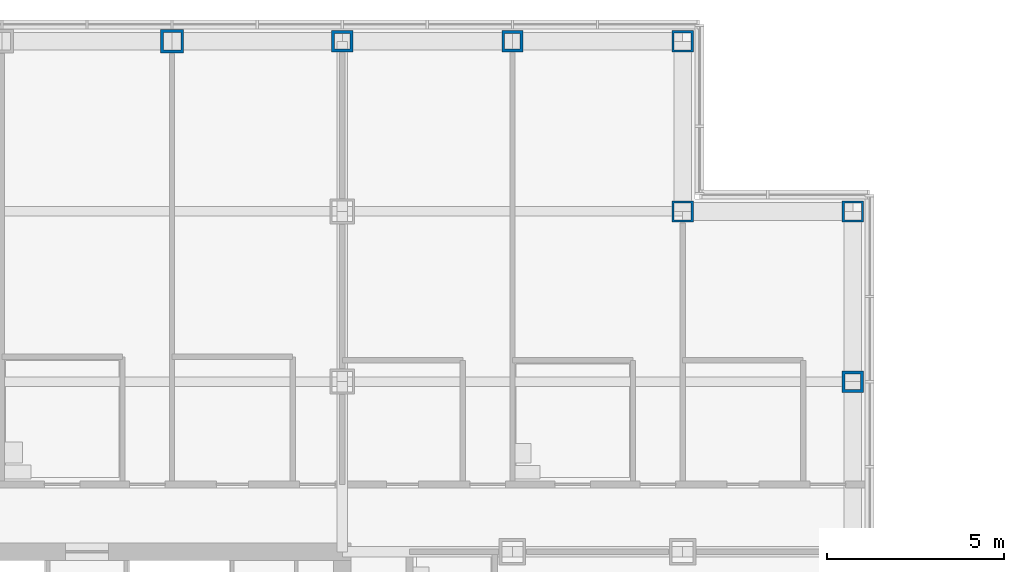
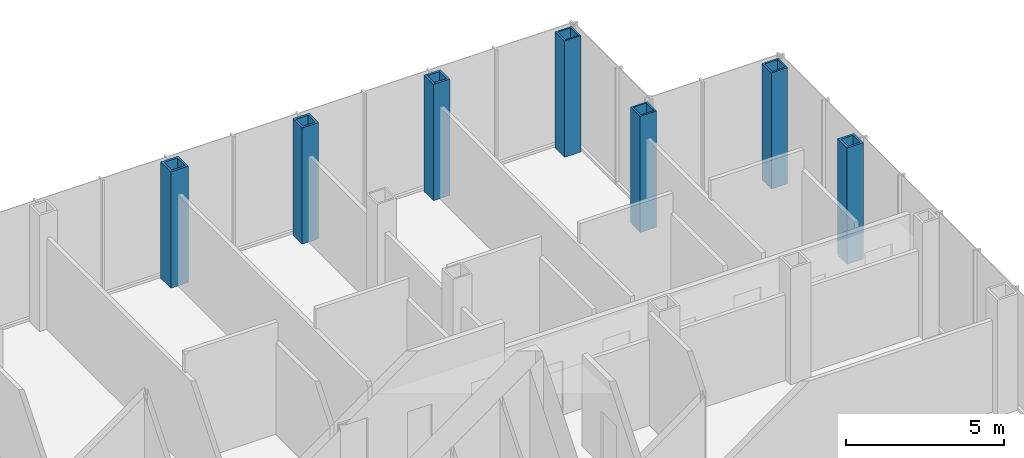
# One storey, part 10 of 25: 7 columns.
"""IFC4 building model written with IfcOpenShell, lengths in metres."""

import ifcopenshell
import ifcopenshell.guid

model = None  # the IFC model being written
_history = None  # IfcOwnerHistory: only IFC2X3 demands one
_inside = {}  # id of a spatial element -> (the spatial element, [elements in it])
_under = {}  # id of a project, library or spatial element -> (it, [spatial elements below it])
_declared = {}  # id of a project -> (the project, [libraries it declares])
_typed = {}  # id of a type object -> (the type object, [elements of that type])
_made_of = {}  # id of a material, layer set ... -> (it, [elements and type objects made of it])


def new_model(schema):
    """Start an empty IFC model of exactly this schema.

    Asked for "IFC4X3", IfcOpenShell would pick the latest addendum, in which some entities
    have other attributes; the version numbers below select the first issue.
    IFC2X3 requires an IfcOwnerHistory on every rooted entity: one is made here for all.
    """
    global model, _history
    if schema == "IFC4X3":
        model = ifcopenshell.file(schema_version=(4, 3, 0, 0))
    else:
        model = ifcopenshell.file(schema=schema)
    _inside.clear()
    _under.clear()
    _declared.clear()
    _typed.clear()
    _made_of.clear()
    _history = None
    if model.schema == "IFC2X3":
        org = make("IfcOrganization", Name="unknown")
        user = make(
            "IfcPersonAndOrganization",
            ThePerson=make("IfcPerson", FamilyName="unknown"),
            TheOrganization=org,
        )
        app = make(
            "IfcApplication",
            ApplicationDeveloper=org,
            Version="unknown",
            ApplicationFullName="unknown",
            ApplicationIdentifier="unknown",
        )
        _history = make(
            "IfcOwnerHistory",
            OwningUser=user,
            OwningApplication=app,
            ChangeAction="ADDED",
            CreationDate=0,
        )
    return model


def make(cls, **values):
    """One entity of the class cls with the attributes given. An attribute that is None is left unset."""
    return model.create_entity(
        cls, **{name: value for name, value in values.items() if value is not None}
    )


def rooted(cls, **values):
    """An entity with a GlobalId (a new one), such as an element, a storey or a relation."""
    return make(cls, GlobalId=ifcopenshell.guid.new(), OwnerHistory=_history, **values)


def si_unit(unit_type, name, prefix=None):
    """IfcSIUnit, for example si_unit("LENGTHUNIT", "METRE", prefix="MILLI")."""
    return make("IfcSIUnit", UnitType=unit_type, Prefix=prefix, Name=name)


def assignment(units):
    """IfcUnitAssignment: the units of a project."""
    return None if units is None else make("IfcUnitAssignment", Units=units)


def point(xyz):
    """IfcCartesianPoint."""
    return None if xyz is None else make("IfcCartesianPoint", Coordinates=xyz)


def direction(xyz):
    """IfcDirection."""
    return None if xyz is None else make("IfcDirection", DirectionRatios=xyz)


def frame(location, z_axis=None, x_axis=None):
    """IfcAxis2Placement3D, a coordinate frame: its origin and axes. An axis left out is left unset."""
    return make(
        "IfcAxis2Placement3D",
        Location=point(location),
        Axis=direction(z_axis),
        RefDirection=direction(x_axis),
    )


def frame_2d(location, x_axis=None):
    """IfcAxis2Placement2D, a coordinate frame in the plane: its origin and x axis."""
    return make(
        "IfcAxis2Placement2D", Location=point(location), RefDirection=direction(x_axis)
    )


def origin():
    """The frame at (0, 0, 0) with its axes left unset."""
    return frame((0.0, 0.0, 0.0))


def origin_2d():
    """The frame at (0, 0) in the plane with its x axis left unset."""
    return frame_2d((0.0, 0.0))


def place(relative_to, where):
    """IfcLocalPlacement: puts the frame where relative to a parent placement (None: the world)."""
    return make(
        "IfcLocalPlacement", PlacementRelTo=relative_to, RelativePlacement=where
    )


def context(
    kind, dimensions, precision=None, world=None, true_north=None, identifier=None
):
    """IfcGeometricRepresentationContext, for example the 3D "Model" context."""
    return make(
        "IfcGeometricRepresentationContext",
        ContextIdentifier=identifier,
        ContextType=kind,
        CoordinateSpaceDimension=dimensions,
        Precision=precision,
        WorldCoordinateSystem=world,
        TrueNorth=true_north,
    )


def subcontext(parent, identifier, kind, view, scale=None):
    """IfcGeometricRepresentationSubContext, for example "Body" below "Model"."""
    return make(
        "IfcGeometricRepresentationSubContext",
        ContextIdentifier=identifier,
        ContextType=kind,
        ParentContext=parent,
        TargetScale=scale,
        TargetView=view,
    )


def project(units=None, contexts=None):
    """IfcProject with its units and contexts."""
    return rooted(
        "IfcProject",
        Name="project",
        RepresentationContexts=contexts,
        UnitsInContext=assignment(units),
    )


def spatial(cls, under=None, at=None, **own):
    """A site, building, storey or space (cls), placed at a placement, below another one or the project."""
    s = rooted(cls, ObjectPlacement=at, **own)
    if under is not None:
        _under.setdefault(under.id(), (under, []))[1].append(s)
    return s


def profile(cls, at=None, kind="AREA", **sizes):
    """A parametric profile (cls). Its sizes go by their IFC names, for example OverallWidth=200.0."""
    return make(cls, ProfileType=kind, Position=at, **sizes)


def hollow_rectangle(**sizes):
    """IfcRectangleHollowProfileDef."""
    return profile("IfcRectangleHollowProfileDef", **sizes)


def extrude(swept, where, along, depth):
    """IfcExtrudedAreaSolid: the profile swept, set in the frame where, extruded along a direction by depth."""
    return make(
        "IfcExtrudedAreaSolid",
        SweptArea=swept,
        Position=where,
        ExtrudedDirection=direction(along),
        Depth=depth,
    )


def shape(context_of_items, identifier, shape_type, items):
    """IfcShapeRepresentation: the items that make up one representation, for example the "Body"."""
    return make(
        "IfcShapeRepresentation",
        ContextOfItems=context_of_items,
        RepresentationIdentifier=identifier,
        RepresentationType=shape_type,
        Items=items,
    )


def material(Name=None, Category=None):
    """IfcMaterial."""
    return make("IfcMaterial", Name=Name, Category=Category)


def material_profile(
    of_material, cross_section, Name=None, Category=None, Priority=None
):
    """IfcMaterialProfile: a cross section and its material."""
    return make(
        "IfcMaterialProfile",
        Name=Name,
        Material=of_material,
        Profile=cross_section,
        Priority=Priority,
        Category=Category,
    )


def profile_set(profiles, Name=None, composite=None):
    """IfcMaterialProfileSet."""
    return make(
        "IfcMaterialProfileSet",
        Name=Name,
        MaterialProfiles=profiles,
        CompositeProfile=composite,
    )


def made_of(thing, what):
    """Note that an element or type object is made of a material, layer set ...; save() writes the relation."""
    if what is not None:
        _made_of.setdefault(what.id(), (what, []))[1].append(thing)
    return thing


def type_object(cls, material=None, **own):
    """A type object (cls), such as IfcWallType, which elements share."""
    return made_of(rooted(cls, **own), material)


def element(
    cls,
    number,
    at=None,
    inside=None,
    cuts=None,
    type_object=None,
    material=None,
    context=None,
    identifier="Body",
    shape_type=None,
    held_by="IfcProductDefinitionShape",
    body=None,
    shapes=None,
    **own,
):
    """One element of the class cls, such as IfcWall. Its Tag is "e" and its number.

    at: its placement. inside: the storey or other place that contains it. cuts: it is an
    opening in that element (IfcRelVoidsElement). A single representation is given by context,
    identifier, shape_type and body (its items); several are given by shapes. held_by: the class
    of the entity that holds the representations. save() writes the other relations.
    """
    e = rooted(cls, Tag="e%d" % number, ObjectPlacement=at, **own)
    if body is not None:
        shapes = [shape(context, identifier, shape_type, body)]
    if shapes is not None:
        e.Representation = make(held_by, Representations=shapes)
    if inside is not None:
        _inside.setdefault(inside.id(), (inside, []))[1].append(e)
    if cuts is not None:
        rooted(
            "IfcRelVoidsElement", RelatingBuildingElement=cuts, RelatedOpeningElement=e
        )
    if type_object is not None:
        _typed.setdefault(type_object.id(), (type_object, []))[1].append(e)
    return made_of(e, material)


def aggregate(whole, parts):
    """IfcRelAggregates: a whole, such as a stair, and the parts it consists of."""
    return rooted("IfcRelAggregates", RelatingObject=whole, RelatedObjects=parts)


def save(model, path):
    """Write the relations noted so far, then the file.

    IfcRelAggregates (storeys below a building ...), IfcRelContainedInSpatialStructure (elements
    in a storey), IfcRelDefinesByType, IfcRelAssociatesMaterial and IfcRelDeclares: one each for
    every whole, place, type object, material and project.
    """
    for whole, parts in _under.values():
        aggregate(whole, parts)
    for where, things in _inside.values():
        rooted(
            "IfcRelContainedInSpatialStructure",
            RelatedElements=things,
            RelatingStructure=where,
        )
    for kind, things in _typed.values():
        rooted("IfcRelDefinesByType", RelatedObjects=things, RelatingType=kind)
    for what, things in _made_of.values():
        rooted("IfcRelAssociatesMaterial", RelatedObjects=things, RelatingMaterial=what)
    for by, libraries in _declared.values():
        rooted("IfcRelDeclares", RelatingContext=by, RelatedDefinitions=libraries)
    model.write(path)


model = new_model("IFC4")

# Units and contexts
model_context = context("Model", 3, precision=1e-05, world=origin(), true_north=direction((0.0, 1.0)))
body_context = subcontext(model_context, "Body", "Model", "MODEL_VIEW")
ifc_project = project(units=[si_unit("LENGTHUNIT", "METRE"), si_unit("AREAUNIT", "SQUARE_METRE"), si_unit("VOLUMEUNIT", "CUBIC_METRE"), si_unit("PLANEANGLEUNIT", "RADIAN"), si_unit("MASSUNIT", "GRAM", prefix="KILO")], contexts=[model_context])

# Site, building, storey
site_placement = place(None, origin())
site = spatial("IfcSite", under=ifc_project, at=site_placement, CompositionType="ELEMENT")
building_placement = place(site_placement, origin())
building = spatial("IfcBuilding", under=site, at=building_placement, Name="Kvirike Care Tower", CompositionType="ELEMENT")
storey_placement = place(building_placement, frame((0.0, 0.0, 13.5)))
storey = spatial("IfcBuildingStorey", under=building, at=storey_placement, Name="L03", CompositionType="ELEMENT", Elevation=13.5)

# Columns
ifc_material_1 = material(Name="Steel S460", Category="steel")
ifc_material_profile_1 = material_profile(ifc_material_1, hollow_rectangle(XDim=0.60009765625, YDim=0.60009765625, WallThickness=0.06005859375, at=origin_2d()), Name="BX 600x600x60")
ifc_profile_set_1 = profile_set([ifc_material_profile_1], Name="Steel S460")
column_type_1 = type_object("IfcColumnType", Name="COLUMN BX 600x600x60", PredefinedType="COLUMN", material=ifc_profile_set_1)
for number, where, z_axis, x_axis, name in (
    (1, (38.39990234375, 52.800048828125, 0.0), (0.0, 0.0, 1.0), (0.0, 1.0, 0.0), "Column M11 L03"),
    (2, (38.39990234375, 57.60009765625, 0.0), (0.0, 0.0, 1.0), (0.0, 1.0, 0.0), "Column N11 L03"),
    (3, (43.199951171875, 52.800048828125, 0.0), (0.0, 0.0, 1.0), (0.0, 1.0, 0.0), "Column M12 L03"),
):
    element("IfcColumn", number, at=place(storey_placement, frame(where, z_axis=z_axis, x_axis=x_axis)), inside=storey, type_object=column_type_1, Name=name, PredefinedType="COLUMN", context=body_context, shape_type="SweptSolid", body=[
        extrude(hollow_rectangle(XDim=0.60009765625, YDim=0.60009765625, WallThickness=0.06005859375, at=origin_2d()), origin(), (0.0, 0.0, 1.0), 4.5),
    ])
ifc_material_2 = material(Name="Steel S460", Category="steel")
ifc_material_profile_2 = material_profile(ifc_material_2, hollow_rectangle(XDim=0.60009765625, YDim=0.60009765625, WallThickness=0.080078125, at=origin_2d()), Name="BX 600x600x80")
ifc_profile_set_2 = profile_set([ifc_material_profile_2], Name="Steel S460")
column_type_2 = type_object("IfcColumnType", Name="COLUMN BX 600x600x80", PredefinedType="COLUMN", material=ifc_profile_set_2)
for number, where, z_axis, x_axis, name in (
    (4, (28.800048828125, 57.60009765625, 0.0), (0.0, 0.0, 1.0), (0.0, 1.0, 0.0), "Column N9 L03"),
    (5, (33.60009765625, 57.60009765625, 0.0), (0.0, 0.0, 1.0), (0.0, 1.0, 0.0), "Column N10 L03"),
    (6, (43.199951171875, 48.0, 0.0), (0.0, 0.0, 1.0), (1.0, 0.0, 0.0), "Column L12 L03"),
):
    element("IfcColumn", number, at=place(storey_placement, frame(where, z_axis=z_axis, x_axis=x_axis)), inside=storey, type_object=column_type_2, Name=name, PredefinedType="COLUMN", context=body_context, shape_type="SweptSolid", body=[
        extrude(hollow_rectangle(XDim=0.60009765625, YDim=0.60009765625, WallThickness=0.080078125, at=origin_2d()), origin(), (0.0, 0.0, 1.0), 4.5),
    ])
ifc_material_3 = material(Name="Steel S460", Category="steel")
ifc_material_profile_3 = material_profile(ifc_material_3, hollow_rectangle(XDim=0.64990234375, YDim=0.64990234375, WallThickness=0.080078125, at=origin_2d()), Name="BX 650x650x80")
ifc_profile_set_3 = profile_set([ifc_material_profile_3], Name="Steel S460")
column_type_3 = type_object("IfcColumnType", Name="COLUMN BX 650x650x80", PredefinedType="COLUMN", material=ifc_profile_set_3)
column_placement = place(storey_placement, frame((24.0, 57.60009765625, 0.0), z_axis=(0.0, 0.0, 1.0), x_axis=(0.0, 1.0, 0.0)))
element("IfcColumn", 7, at=column_placement, inside=storey, type_object=column_type_3, Name="Column N8 L03", PredefinedType="COLUMN", context=body_context, shape_type="SweptSolid", body=[
    extrude(hollow_rectangle(XDim=0.64990234375, YDim=0.64990234375, WallThickness=0.080078125, at=origin_2d()), origin(), (0.0, 0.0, 1.0), 4.5),
])

save(model, "model.ifc")
